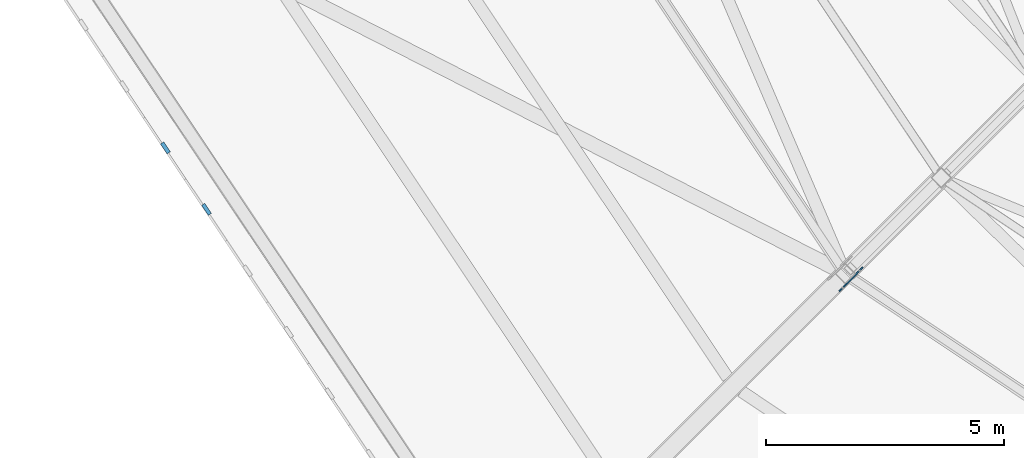
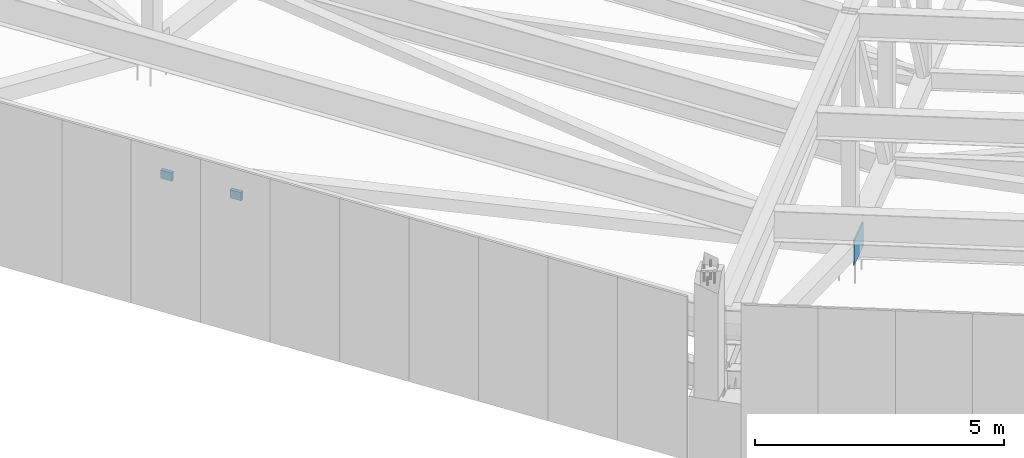
# One storey, part 114 of 278: 3 discrete accessories.
"""IFC4 building model written with IfcOpenShell, lengths in metres."""

from ifc_helpers import new_model, si_unit, direction, frame, origin, origin_2d, place, context, subcontext, project, spatial, rectangle, extrude, material, layer, layer_set, type_object, element, save


model = new_model("IFC4")

# Units and contexts
model_context = context("Model", 3, precision=1e-05, world=origin(), true_north=direction((0.0, 1.0)))
body_context = subcontext(model_context, "Body", "Model", "MODEL_VIEW")
ifc_project = project(units=[si_unit("LENGTHUNIT", "METRE"), si_unit("AREAUNIT", "SQUARE_METRE"), si_unit("VOLUMEUNIT", "CUBIC_METRE"), si_unit("PLANEANGLEUNIT", "RADIAN"), si_unit("MASSUNIT", "GRAM", prefix="KILO")], contexts=[model_context])

# Site, building, storey
site_placement = place(None, origin())
site = spatial("IfcSite", under=ifc_project, at=site_placement, CompositionType="ELEMENT")
building_placement = place(site_placement, origin())
building = spatial("IfcBuilding", under=site, at=building_placement, Name="Ogive Plaza Stadium", CompositionType="ELEMENT")
storey_placement = place(building_placement, frame((0.0, 0.0, 29.0)))
storey = spatial("IfcBuildingStorey", under=building, at=storey_placement, Name="Roof", CompositionType="ELEMENT", Elevation=29.0)

# Discrete accessories
ifc_material_1 = material(Name="Steel ASTM A572 Grade 50", Category="steel")
ifc_layer_1 = layer(ifc_material_1, 0.080078125)
ifc_layer_set_1 = layer_set([ifc_layer_1], Name="Steel ASTM A572 Grade 50")
discrete_accessory_type_1 = type_object("IfcDiscreteAccessoryType", Name="Tracery screen bracket 250x200", PredefinedType="BRACKET", material=ifc_layer_set_1)
for number, where, z_axis, x_axis, name in (
    (1, (-75.704345703125, -79.4326171875, 5.25), (0.0, 0.0, 1.0), (-0.55557023302, 0.831469612303, 0.0), "TRACERY SCREEN BRACKET B19 7"),
    (2, (-76.566650390625, -78.141845703125, 5.25), (0.0, 0.0, 1.0), (-0.55557023302, 0.831469612303, 0.0), "TRACERY SCREEN BRACKET B19 8"),
):
    element("IfcDiscreteAccessory", number, at=place(storey_placement, frame(where, z_axis=z_axis, x_axis=x_axis)), inside=storey, type_object=discrete_accessory_type_1, Name=name, PredefinedType="BRACKET", context=body_context, shape_type="SweptSolid", body=[
        extrude(rectangle(XDim=0.25, YDim=0.080078125, at=origin_2d()), origin(), (0.0, 0.0, 1.0), 0.199951171875),
    ])
ifc_material_2 = material(Name="Steel ASTM A992 Grade 50", Category="steel")
ifc_layer_2 = layer(ifc_material_2, 0.030029296875)
ifc_layer_set_2 = layer_set([ifc_layer_2], Name="Steel ASTM A992 Grade 50")
discrete_accessory_type_2 = type_object("IfcDiscreteAccessoryType", Name="Truss root foot cleat plate 30", PredefinedType="ANCHORPLATE", material=ifc_layer_set_2)
discrete_accessory_placement = place(storey_placement, frame((-62.16650390625, -80.90185546875, 0.0), z_axis=(0.0, 0.0, 1.0), x_axis=(-0.707106781187, -0.707106781187, 0.0)))
element("IfcDiscreteAccessory", 3, at=discrete_accessory_placement, inside=storey, type_object=discrete_accessory_type_2, Name="TRUSS ROOT FOOT CLEAT PLATE 19 1", PredefinedType="ANCHORPLATE", context=body_context, shape_type="SweptSolid", body=[
    extrude(rectangle(XDim=0.704833984375, YDim=0.030029296875, at=origin_2d()), origin(), (0.0, 0.0, 1.0), 0.60009765625),
])

save(model, "model.ifc")
